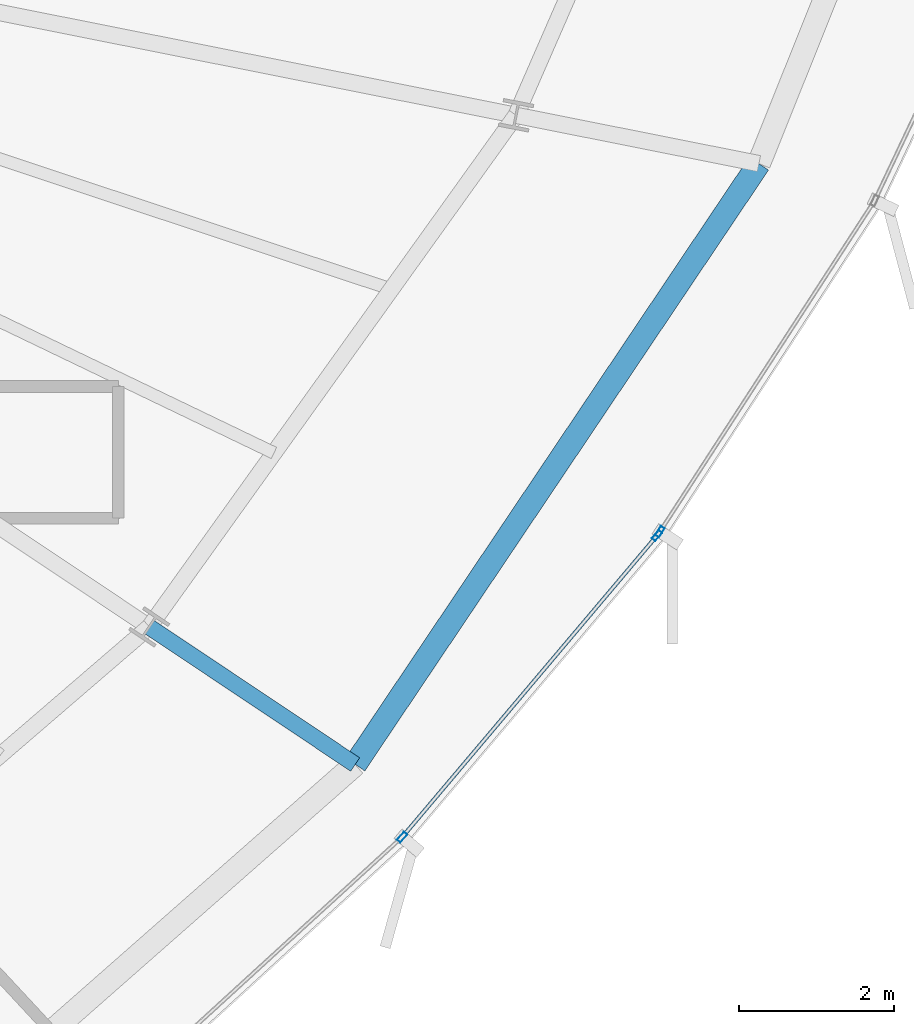
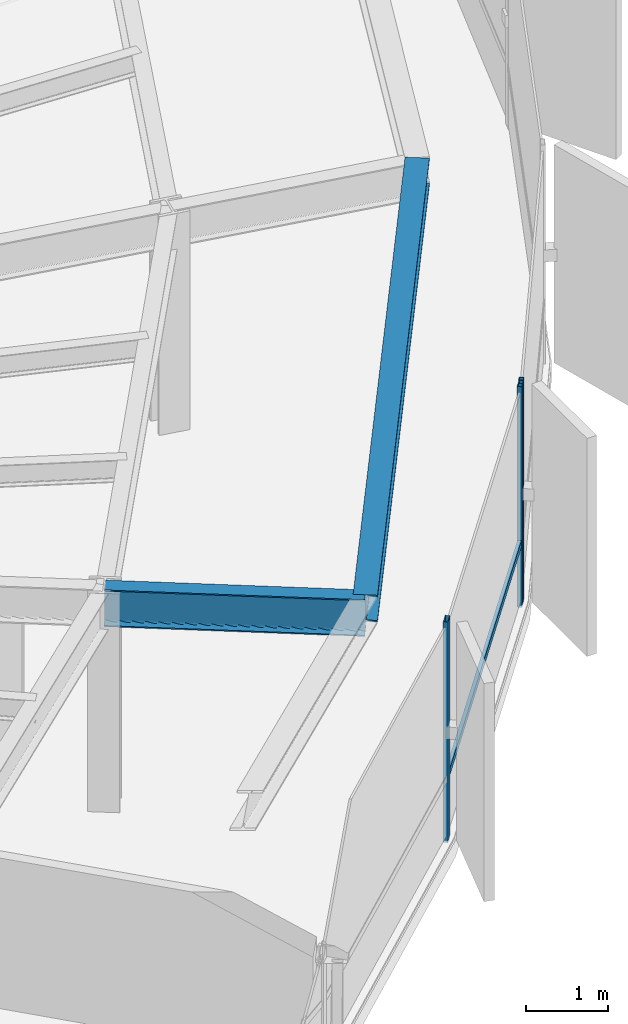
# One storey, part 14 of 32: 4 members, 2 beams, 2 elements without a shape of their own.
"""IFC4 building model written with IfcOpenShell, lengths in metres."""

from ifc_helpers import new_model, si_unit, direction, frame, origin, origin_2d, place, context, subcontext, project, spatial, hollow_rectangle, i_section, extrude, source, transform, mapped, material, layer, layer_set, material_profile, profile_set, type_object, element, aggregate, save


model = new_model("IFC4")

# Units and contexts
model_context = context("Model", 3, precision=1e-05, world=origin(), true_north=direction((0.0, 1.0)))
body_context = subcontext(model_context, "Body", "Model", "MODEL_VIEW")
ifc_project = project(units=[si_unit("LENGTHUNIT", "METRE"), si_unit("AREAUNIT", "SQUARE_METRE"), si_unit("VOLUMEUNIT", "CUBIC_METRE"), si_unit("PLANEANGLEUNIT", "RADIAN"), si_unit("MASSUNIT", "GRAM", prefix="KILO"), si_unit("THERMODYNAMICTEMPERATUREUNIT", "KELVIN")], contexts=[model_context])

# Site, building, storey
site_placement = place(None, origin())
site = spatial("IfcSite", under=ifc_project, at=site_placement, CompositionType="ELEMENT")
building_placement = place(site_placement, origin())
building = spatial("IfcBuilding", under=site, at=building_placement, Name="Kethvar Cultural Tower", CompositionType="ELEMENT")
storey_placement = place(building_placement, frame((0.0, 0.0, 157.199951171875)))
storey = spatial("IfcBuildingStorey", under=building, at=storey_placement, Name="L40", CompositionType="ELEMENT", Elevation=157.199951171875)

# Beams
ifc_material_1 = material(Name="Steel S355J2", Category="steel")
ifc_material_profile_1 = material_profile(ifc_material_1, i_section(OverallWidth=0.2099609375, OverallDepth=0.550048828125, WebThickness=0.010986328125, FlangeThickness=0.01708984375, FilletRadius=0.02392578125, at=origin_2d()), Name="Steel S355J2 — IPE550")
ifc_profile_set_1 = profile_set([ifc_material_profile_1], Name="Steel S355J2 — IPE550")
beam_type_1 = type_object("IfcBeamType", Name="BM-IPE550", PredefinedType="BEAM", material=ifc_profile_set_1)
shared_shape_1 = source(origin(), body_context, "Body", "SweptSolid", [
    extrude(i_section(OverallWidth=0.2099609375, OverallDepth=0.550048828125, WebThickness=0.010986328125, FlangeThickness=0.01708984375, FilletRadius=0.02392578125, at=origin_2d()), origin(), (0.0, 0.0, 1.0), 3.199951171875),
])
beam_1_placement = place(storey_placement, frame((62.898681640625, 17.043212890625, 3.02294921875), z_axis=(0.831462943996, -0.555580212716, 0.0), x_axis=(0.555580212716, 0.831462943996, 0.0)))
element("IfcBeam", 1, at=beam_1_placement, inside=storey, type_object=beam_type_1, Name="L40 Perimeter Cantilever Beam RC-15", PredefinedType="BEAM", context=body_context, shape_type="MappedRepresentation", body=[
    mapped(shared_shape_1, transform((0.0, 0.0, 0.0), scale=1.0)),
])
ifc_material_profile_2 = material_profile(ifc_material_1, i_section(OverallWidth=0.300048828125, OverallDepth=0.39990234375, WebThickness=0.013427734375, FlangeThickness=0.02392578125, FilletRadius=0.027099609375, at=origin_2d()), Name="Steel S355J2 — HEB400")
ifc_profile_set_2 = profile_set([ifc_material_profile_2], Name="Steel S355J2 — HEB400")
beam_type_2 = type_object("IfcBeamType", Name="BM-SP400", PredefinedType="SPANDREL", material=ifc_profile_set_2)
shared_shape_2 = source(origin(), body_context, "Body", "SweptSolid", [
    extrude(i_section(OverallWidth=0.300048828125, OverallDepth=0.39990234375, WebThickness=0.013427734375, FlangeThickness=0.02392578125, FilletRadius=0.027099609375, at=origin_2d()), origin(), (0.0, 0.0, 1.0), 9.355224609375),
])
beam_2_placement = place(storey_placement, frame((65.559326171875, 15.265380859375, 3.09814453125), z_axis=(0.557731714622, 0.830021285573, 0.0), x_axis=(-0.830021285573, 0.557731714622, 0.0)))
element("IfcBeam", 2, at=beam_2_placement, inside=storey, type_object=beam_type_2, Name="L40 Perimeter Spandrel Beam SP-15", PredefinedType="SPANDREL", context=body_context, shape_type="MappedRepresentation", body=[
    mapped(shared_shape_2, transform((0.0, 0.0, 0.0), scale=1.0)),
])

# Curtain wall, members
ifc_material_2 = material(Name="Aluminium 6063-T6", Category="aluminium")
ifc_layer = layer(ifc_material_2, 0.179931640625, Name="Aluminium 6063-T6", Category="aluminium")
ifc_layer_set = layer_set([ifc_layer], Name="Aluminium 6063-T6 (180 mm)")
curtain_wall_type = type_object("IfcCurtainWallType", Name="CW-SYS-04-Z34", PredefinedType="NOTDEFINED", material=ifc_layer_set)
curtain_wall_1_placement = place(storey_placement, origin())
curtain_wall_1 = element("IfcCurtainWall", 3, at=curtain_wall_1_placement, inside=storey, type_object=curtain_wall_type, Name="L40 Curtain Wall Run 05", PredefinedType="NOTDEFINED")
ifc_material_profile_3 = material_profile(ifc_material_2, hollow_rectangle(XDim=0.06005859375, YDim=0.139892578125, WallThickness=0.0048828125, at=origin_2d()), Name="Aluminium 6063-T6 — RHS140x60x5")
ifc_profile_set_3 = profile_set([ifc_material_profile_3], Name="Aluminium 6063-T6 — RHS140x60x5")
member_type_1 = type_object("IfcMemberType", Name="CW-SYS-04-Z34-MUL", PredefinedType="MULLION", material=ifc_profile_set_3)
shared_shape_3 = source(origin(), body_context, "Body", "SweptSolid", [
    extrude(hollow_rectangle(XDim=0.06005859375, YDim=0.139892578125, WallThickness=0.0048828125, at=origin_2d()), origin(), (0.0, 0.0, 1.0), 3.300048828125),
])
member_1_placement = place(storey_placement, frame((66.166259765625, 14.3251953125, 0.0), z_axis=(0.0, 0.0, 1.0), x_axis=(-0.763728432276, 0.645537668718, 0.0)))
member_1 = element("IfcMember", 4, at=member_1_placement, type_object=member_type_1, Name="CW-L40-R05 Mullion 6", PredefinedType="MULLION", context=body_context, shape_type="MappedRepresentation", body=[
    mapped(shared_shape_3, transform((0.0, 0.0, 0.0), scale=1.0)),
])
member_2_placement = place(storey_placement, frame((69.459716796875, 18.2216796875, 0.0), z_axis=(0.0, 0.0, 1.0), x_axis=(-0.763728432276, 0.645537668718, 0.0)))
member_2 = element("IfcMember", 5, at=member_2_placement, type_object=member_type_1, Name="CW-L40-R05 Mullion 7", PredefinedType="MULLION", context=body_context, shape_type="MappedRepresentation", body=[
    mapped(shared_shape_3, transform((0.0, 0.0, 0.0), scale=1.0)),
])

# Curtain wall, member
curtain_wall_2_placement = place(storey_placement, origin())
curtain_wall_2 = element("IfcCurtainWall", 6, at=curtain_wall_2_placement, inside=storey, type_object=curtain_wall_type, Name="L40 Curtain Wall Run 06", PredefinedType="NOTDEFINED")
member_3_placement = place(storey_placement, frame((69.497802734375, 18.27294921875, 0.0), z_axis=(0.0, 0.0, 1.0), x_axis=(-0.838993615572, 0.544141262017, 0.0)))
member_3 = element("IfcMember", 7, at=member_3_placement, type_object=member_type_1, Name="CW-L40-R06 Mullion 1", PredefinedType="MULLION", context=body_context, shape_type="MappedRepresentation", body=[
    mapped(shared_shape_3, transform((0.0, 0.0, 0.0), scale=1.0)),
])
aggregate(curtain_wall_2, [member_3])

# Member
ifc_material_profile_4 = material_profile(ifc_material_2, hollow_rectangle(XDim=0.050048828125, YDim=0.10009765625, WallThickness=0.00390625, at=origin_2d()), Name="Aluminium 6063-T6 — RHS100x50x4")
ifc_profile_set_4 = profile_set([ifc_material_profile_4], Name="Aluminium 6063-T6 — RHS100x50x4")
member_type_2 = type_object("IfcMemberType", Name="CW-SYS-04-Z34-TRN", PredefinedType="USERDEFINED", material=ifc_profile_set_4)
shared_shape_4 = source(origin(), body_context, "Body", "SweptSolid", [
    extrude(hollow_rectangle(XDim=0.050048828125, YDim=0.10009765625, WallThickness=0.00390625, at=origin_2d()), origin(), (0.0, 0.0, 1.0), 5.054443359375),
])
member_4_placement = place(storey_placement, frame((66.194091796875, 14.358154296875, 0.949951171875), z_axis=(0.645509084343, 0.76375259216, 0.0), x_axis=(-0.76375259216, 0.645509084343, 0.0)))
member_4 = element("IfcMember", 8, at=member_4_placement, type_object=member_type_2, Name="CW-L40-R05 Transom 6", ObjectType="TRANSOM", PredefinedType="USERDEFINED", context=body_context, shape_type="MappedRepresentation", body=[
    mapped(shared_shape_4, transform((0.0, 0.0, 0.0), scale=1.0)),
])

aggregate(curtain_wall_1, [member_1, member_2, member_4])

save(model, "model.ifc")
